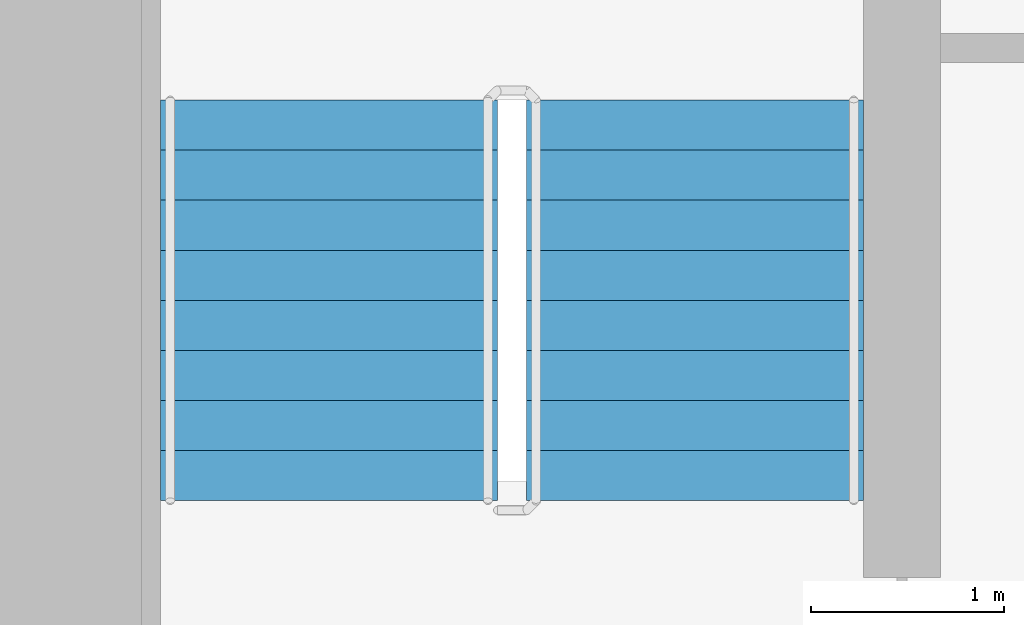
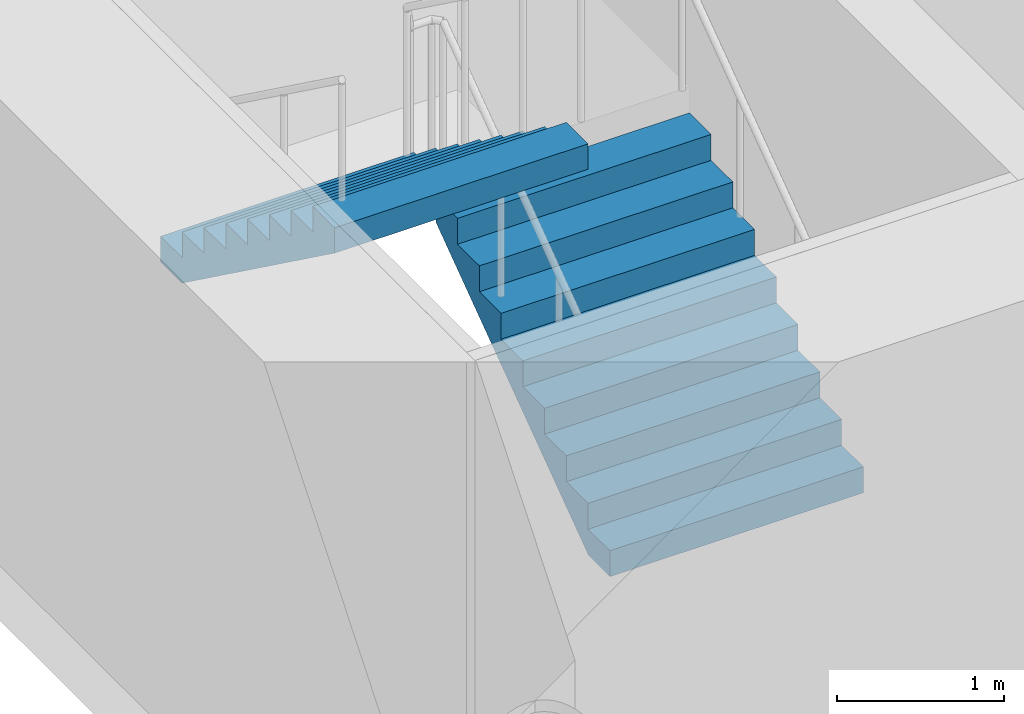
# One storey, part 20 of 22: 2 stair flights, 1 element without a shape of its own.
"""IFC4 building model written with IfcOpenShell, lengths in metres."""

from ifc_helpers import new_model, si_unit, direction, frame, origin, place, context, subcontext, project, spatial, faceted_brep, material, type_object, element, aggregate, save


model = new_model("IFC4")

# Units and contexts
model_context = context("Model", 3, precision=1e-05, world=origin(), true_north=direction((0.0, 1.0)))
body_context = subcontext(model_context, "Body", "Model", "MODEL_VIEW")
ifc_project = project(units=[si_unit("LENGTHUNIT", "METRE"), si_unit("AREAUNIT", "SQUARE_METRE"), si_unit("VOLUMEUNIT", "CUBIC_METRE"), si_unit("PLANEANGLEUNIT", "RADIAN"), si_unit("MASSUNIT", "GRAM", prefix="KILO")], contexts=[model_context])

# Site, building, storey
site_placement = place(None, origin())
site = spatial("IfcSite", under=ifc_project, at=site_placement, CompositionType="ELEMENT")
building_placement = place(site_placement, origin())
building = spatial("IfcBuilding", under=site, at=building_placement, Name="Ipe Terrace Towers", CompositionType="ELEMENT")
storey_placement = place(building_placement, frame((0.0, 0.0, 55.10009765625)))
storey = spatial("IfcBuildingStorey", under=building, at=storey_placement, Name="L14", CompositionType="ELEMENT", Elevation=55.10009765625)

# Stair, stair flights
ifc_material_1 = material(Name="Concrete C30/37", Category="concrete")
stair_type = type_object("IfcStairType", Name="Protected exit stair", PredefinedType="HALF_TURN_STAIR", material=ifc_material_1)
stair_placement = place(storey_placement, origin())
stair = element("IfcStair", 1, at=stair_placement, inside=storey, type_object=stair_type, Name="L14 Exit stair T2-C1", PredefinedType="HALF_TURN_STAIR")
ifc_material_2 = material(Name="Concrete C30/37", Category="concrete")
stair_flight_type = type_object("IfcStairFlightType", Name="Exit stair flight 1750", PredefinedType="STRAIGHT", material=ifc_material_2)
stair_flight_1_placement = place(storey_placement, frame((33.22509765625, 9.699951171875, 0.0), z_axis=(0.0, 0.0, 1.0), x_axis=(0.0, 1.0, 0.0)))
stair_flight_1 = element("IfcStairFlight", 2, at=stair_flight_1_placement, type_object=stair_flight_type, Name="T2-ST1 flight 1", NumberOfRisers=9, NumberOfTreads=8, PredefinedType="STRAIGHT", RiserHeight=0.188888889, TreadLength=0.26, context=body_context, shape_type="Brep", body=[
    faceted_brep([(0.255126953125, -0.875, 0.0), (2.080078125, -0.875, 1.325927734375), (2.080078125, -0.875, 1.51123046875), (1.820068359375, -0.875, 1.51123046875), (1.820068359375, -0.875, 1.322265625), (1.56005859375, -0.875, 1.322265625), (1.56005859375, -0.875, 1.13330078125), (1.300048828125, -0.875, 1.13330078125), (1.300048828125, -0.875, 0.9443359375), (1.0400390625, -0.875, 0.9443359375), (1.0400390625, -0.875, 0.755615234375), (0.780029296875, -0.875, 0.755615234375), (0.780029296875, -0.875, 0.566650390625), (0.52001953125, -0.875, 0.566650390625), (0.52001953125, -0.875, 0.377685546875), (0.260009765625, -0.875, 0.377685546875), (0.260009765625, -0.875, 0.18896484375), (0.0, -0.875, 0.18896484375), (0.0, -0.875, 0.0), (0.0, 0.875, 0.0), (0.0, 0.875, 0.18896484375), (0.260009765625, 0.875, 0.18896484375), (0.260009765625, 0.875, 0.377685546875), (0.52001953125, 0.875, 0.377685546875), (0.52001953125, 0.875, 0.566650390625), (0.780029296875, 0.875, 0.566650390625), (0.780029296875, 0.875, 0.755615234375), (1.0400390625, 0.875, 0.755615234375), (1.0400390625, 0.875, 0.9443359375), (1.300048828125, 0.875, 0.9443359375), (1.300048828125, 0.875, 1.13330078125), (1.56005859375, 0.875, 1.13330078125), (1.56005859375, 0.875, 1.322265625), (1.820068359375, 0.875, 1.322265625), (1.820068359375, 0.875, 1.51123046875), (2.080078125, 0.875, 1.51123046875), (2.080078125, 0.875, 1.325927734375), (0.255126953125, 0.875, 0.0), (0.0, -0.300048828125, 0.18896484375), (0.0, -0.1201171875, 0.18896484375), (0.0, -0.06005859375, 0.18896484375), (0.0, -0.030029296875, 0.18896484375), (0.0, -0.010009765625, 0.18896484375), (0.0, 0.0, 0.18896484375), (0.0, 0.010009765625, 0.18896484375), (0.0, 0.030029296875, 0.18896484375), (0.0, 0.06005859375, 0.18896484375), (0.0, 0.1201171875, 0.18896484375), (0.0, 0.300048828125, 0.18896484375), (0.0, 0.300048828125, 0.0), (0.0, 0.1201171875, 0.0), (0.0, 0.06005859375, 0.0), (0.0, 0.030029296875, 0.0), (0.0, 0.010009765625, 0.0), (0.0, 0.0, 0.0), (0.0, -0.010009765625, 0.0), (0.0, -0.030029296875, 0.0), (0.0, -0.06005859375, 0.0), (0.0, -0.1201171875, 0.0), (0.0, -0.300048828125, 0.0), (0.260009765625, -0.300048828125, 0.18896484375), (0.260009765625, -0.1201171875, 0.18896484375), (0.260009765625, -0.06005859375, 0.18896484375), (0.260009765625, -0.030029296875, 0.18896484375), (0.260009765625, -0.010009765625, 0.18896484375), (0.260009765625, 0.0, 0.18896484375), (0.260009765625, 0.010009765625, 0.18896484375), (0.260009765625, 0.030029296875, 0.18896484375), (0.260009765625, 0.06005859375, 0.18896484375), (0.260009765625, 0.1201171875, 0.18896484375), (0.260009765625, 0.300048828125, 0.18896484375), (0.260009765625, -0.300048828125, 0.377685546875), (0.260009765625, -0.1201171875, 0.377685546875), (0.260009765625, -0.06005859375, 0.377685546875), (0.260009765625, -0.030029296875, 0.377685546875), (0.260009765625, -0.010009765625, 0.377685546875), (0.260009765625, 0.0, 0.377685546875), (0.260009765625, 0.010009765625, 0.377685546875), (0.260009765625, 0.030029296875, 0.377685546875), (0.260009765625, 0.06005859375, 0.377685546875), (0.260009765625, 0.1201171875, 0.377685546875), (0.260009765625, 0.300048828125, 0.377685546875), (0.52001953125, -0.300048828125, 0.377685546875), (0.52001953125, -0.1201171875, 0.377685546875), (0.52001953125, -0.06005859375, 0.377685546875), (0.52001953125, -0.030029296875, 0.377685546875), (0.52001953125, -0.010009765625, 0.377685546875), (0.52001953125, 0.0, 0.377685546875), (0.52001953125, 0.010009765625, 0.377685546875), (0.52001953125, 0.030029296875, 0.377685546875), (0.52001953125, 0.06005859375, 0.377685546875), (0.52001953125, 0.1201171875, 0.377685546875), (0.52001953125, 0.300048828125, 0.377685546875), (0.52001953125, -0.300048828125, 0.566650390625), (0.52001953125, -0.1201171875, 0.566650390625), (0.52001953125, -0.06005859375, 0.566650390625), (0.52001953125, -0.030029296875, 0.566650390625), (0.52001953125, -0.010009765625, 0.566650390625), (0.52001953125, 0.0, 0.566650390625), (0.52001953125, 0.010009765625, 0.566650390625), (0.52001953125, 0.030029296875, 0.566650390625), (0.52001953125, 0.06005859375, 0.566650390625), (0.52001953125, 0.1201171875, 0.566650390625), (0.52001953125, 0.300048828125, 0.566650390625), (0.780029296875, -0.300048828125, 0.566650390625), (0.780029296875, -0.1201171875, 0.566650390625), (0.780029296875, -0.06005859375, 0.566650390625), (0.780029296875, -0.030029296875, 0.566650390625), (0.780029296875, -0.010009765625, 0.566650390625), (0.780029296875, 0.0, 0.566650390625), (0.780029296875, 0.010009765625, 0.566650390625), (0.780029296875, 0.030029296875, 0.566650390625), (0.780029296875, 0.06005859375, 0.566650390625), (0.780029296875, 0.1201171875, 0.566650390625), (0.780029296875, 0.300048828125, 0.566650390625), (0.780029296875, -0.300048828125, 0.755615234375), (0.780029296875, -0.1201171875, 0.755615234375), (0.780029296875, -0.06005859375, 0.755615234375), (0.780029296875, -0.030029296875, 0.755615234375), (0.780029296875, -0.010009765625, 0.755615234375), (0.780029296875, 0.0, 0.755615234375), (0.780029296875, 0.010009765625, 0.755615234375), (0.780029296875, 0.030029296875, 0.755615234375), (0.780029296875, 0.06005859375, 0.755615234375), (0.780029296875, 0.1201171875, 0.755615234375), (0.780029296875, 0.300048828125, 0.755615234375), (1.0400390625, -0.300048828125, 0.755615234375), (1.0400390625, -0.1201171875, 0.755615234375), (1.0400390625, -0.06005859375, 0.755615234375), (1.0400390625, -0.030029296875, 0.755615234375), (1.0400390625, -0.010009765625, 0.755615234375), (1.0400390625, 0.0, 0.755615234375), (1.0400390625, 0.010009765625, 0.755615234375), (1.0400390625, 0.030029296875, 0.755615234375), (1.0400390625, 0.06005859375, 0.755615234375), (1.0400390625, 0.1201171875, 0.755615234375), (1.0400390625, 0.300048828125, 0.755615234375), (1.0400390625, -0.300048828125, 0.9443359375), (1.0400390625, -0.1201171875, 0.9443359375), (1.0400390625, -0.06005859375, 0.9443359375), (1.0400390625, -0.030029296875, 0.9443359375), (1.0400390625, -0.010009765625, 0.9443359375), (1.0400390625, 0.0, 0.9443359375), (1.0400390625, 0.010009765625, 0.9443359375), (1.0400390625, 0.030029296875, 0.9443359375), (1.0400390625, 0.06005859375, 0.9443359375), (1.0400390625, 0.1201171875, 0.9443359375), (1.0400390625, 0.300048828125, 0.9443359375), (1.300048828125, -0.300048828125, 0.9443359375), (1.300048828125, -0.1201171875, 0.9443359375), (1.300048828125, -0.06005859375, 0.9443359375), (1.300048828125, -0.030029296875, 0.9443359375), (1.300048828125, -0.010009765625, 0.9443359375), (1.300048828125, 0.0, 0.9443359375), (1.300048828125, 0.010009765625, 0.9443359375), (1.300048828125, 0.030029296875, 0.9443359375), (1.300048828125, 0.06005859375, 0.9443359375), (1.300048828125, 0.1201171875, 0.9443359375), (1.300048828125, 0.300048828125, 0.9443359375), (1.300048828125, -0.300048828125, 1.13330078125), (1.300048828125, -0.1201171875, 1.13330078125), (1.300048828125, -0.06005859375, 1.13330078125), (1.300048828125, -0.030029296875, 1.13330078125), (1.300048828125, -0.010009765625, 1.13330078125), (1.300048828125, 0.0, 1.13330078125), (1.300048828125, 0.010009765625, 1.13330078125), (1.300048828125, 0.030029296875, 1.13330078125), (1.300048828125, 0.06005859375, 1.13330078125), (1.300048828125, 0.1201171875, 1.13330078125), (1.300048828125, 0.300048828125, 1.13330078125), (1.56005859375, -0.300048828125, 1.13330078125), (1.56005859375, -0.1201171875, 1.13330078125), (1.56005859375, -0.06005859375, 1.13330078125), (1.56005859375, -0.030029296875, 1.13330078125), (1.56005859375, -0.010009765625, 1.13330078125), (1.56005859375, 0.0, 1.13330078125), (1.56005859375, 0.010009765625, 1.13330078125), (1.56005859375, 0.030029296875, 1.13330078125), (1.56005859375, 0.06005859375, 1.13330078125), (1.56005859375, 0.1201171875, 1.13330078125), (1.56005859375, 0.300048828125, 1.13330078125), (1.56005859375, -0.300048828125, 1.322265625), (1.56005859375, -0.1201171875, 1.322265625), (1.56005859375, -0.06005859375, 1.322265625), (1.56005859375, -0.030029296875, 1.322265625), (1.56005859375, -0.010009765625, 1.322265625), (1.56005859375, 0.0, 1.322265625), (1.56005859375, 0.010009765625, 1.322265625), (1.56005859375, 0.030029296875, 1.322265625), (1.56005859375, 0.06005859375, 1.322265625), (1.56005859375, 0.1201171875, 1.322265625), (1.56005859375, 0.300048828125, 1.322265625), (1.820068359375, -0.300048828125, 1.322265625), (1.820068359375, -0.1201171875, 1.322265625), (1.820068359375, -0.06005859375, 1.322265625), (1.820068359375, -0.030029296875, 1.322265625), (1.820068359375, -0.010009765625, 1.322265625), (1.820068359375, 0.0, 1.322265625), (1.820068359375, 0.010009765625, 1.322265625), (1.820068359375, 0.030029296875, 1.322265625), (1.820068359375, 0.06005859375, 1.322265625), (1.820068359375, 0.1201171875, 1.322265625), (1.820068359375, 0.300048828125, 1.322265625), (1.820068359375, -0.300048828125, 1.51123046875), (1.820068359375, -0.1201171875, 1.51123046875), (1.820068359375, -0.06005859375, 1.51123046875), (1.820068359375, -0.030029296875, 1.51123046875), (1.820068359375, -0.010009765625, 1.51123046875), (1.820068359375, 0.0, 1.51123046875), (1.820068359375, 0.010009765625, 1.51123046875), (1.820068359375, 0.030029296875, 1.51123046875), (1.820068359375, 0.06005859375, 1.51123046875), (1.820068359375, 0.1201171875, 1.51123046875), (1.820068359375, 0.300048828125, 1.51123046875), (2.080078125, -0.300048828125, 1.51123046875), (2.080078125, -0.1201171875, 1.51123046875), (2.080078125, -0.06005859375, 1.51123046875), (2.080078125, -0.030029296875, 1.51123046875), (2.080078125, -0.010009765625, 1.51123046875), (2.080078125, 0.0, 1.51123046875), (2.080078125, 0.010009765625, 1.51123046875), (2.080078125, 0.030029296875, 1.51123046875), (2.080078125, 0.06005859375, 1.51123046875), (2.080078125, 0.1201171875, 1.51123046875), (2.080078125, 0.300048828125, 1.51123046875), (2.080078125, -0.300048828125, 1.325927734375), (2.080078125, -0.1201171875, 1.325927734375), (2.080078125, -0.06005859375, 1.325927734375), (2.080078125, -0.030029296875, 1.325927734375), (2.080078125, -0.010009765625, 1.325927734375), (2.080078125, 0.0, 1.325927734375), (2.080078125, 0.010009765625, 1.325927734375), (2.080078125, 0.030029296875, 1.325927734375), (2.080078125, 0.06005859375, 1.325927734375), (2.080078125, 0.1201171875, 1.325927734375), (2.080078125, 0.300048828125, 1.325927734375), (0.255126953125, -0.300048828125, 0.0), (0.255126953125, -0.1201171875, 0.0), (0.255126953125, -0.06005859375, 0.0), (0.255126953125, -0.030029296875, 0.0), (0.255126953125, -0.010009765625, 0.0), (0.255126953125, 0.0, 0.0), (0.255126953125, 0.010009765625, 0.0), (0.255126953125, 0.030029296875, 0.0), (0.255126953125, 0.06005859375, 0.0), (0.255126953125, 0.1201171875, 0.0), (0.255126953125, 0.300048828125, 0.0)], [[[0, 1, 2, 3, 4, 5, 6, 7, 8, 9, 10, 11, 12, 13, 14, 15, 16, 17, 18]], [[19, 20, 21, 22, 23, 24, 25, 26, 27, 28, 29, 30, 31, 32, 33, 34, 35, 36, 37]], [[17, 38, 39, 40, 41, 42, 43, 44, 45, 46, 47, 48, 20, 19, 49, 50, 51, 52, 53, 54, 55, 56, 57, 58, 59, 18]], [[16, 60, 61, 62, 63, 64, 65, 66, 67, 68, 69, 70, 21, 20, 48, 47, 46, 45, 44, 43, 42, 41, 40, 39, 38, 17]], [[15, 71, 72, 73, 74, 75, 76, 77, 78, 79, 80, 81, 22, 21, 70, 69, 68, 67, 66, 65, 64, 63, 62, 61, 60, 16]], [[14, 82, 83, 84, 85, 86, 87, 88, 89, 90, 91, 92, 23, 22, 81, 80, 79, 78, 77, 76, 75, 74, 73, 72, 71, 15]], [[13, 93, 94, 95, 96, 97, 98, 99, 100, 101, 102, 103, 24, 23, 92, 91, 90, 89, 88, 87, 86, 85, 84, 83, 82, 14]], [[12, 104, 105, 106, 107, 108, 109, 110, 111, 112, 113, 114, 25, 24, 103, 102, 101, 100, 99, 98, 97, 96, 95, 94, 93, 13]], [[11, 115, 116, 117, 118, 119, 120, 121, 122, 123, 124, 125, 26, 25, 114, 113, 112, 111, 110, 109, 108, 107, 106, 105, 104, 12]], [[10, 126, 127, 128, 129, 130, 131, 132, 133, 134, 135, 136, 27, 26, 125, 124, 123, 122, 121, 120, 119, 118, 117, 116, 115, 11]], [[9, 137, 138, 139, 140, 141, 142, 143, 144, 145, 146, 147, 28, 27, 136, 135, 134, 133, 132, 131, 130, 129, 128, 127, 126, 10]], [[8, 148, 149, 150, 151, 152, 153, 154, 155, 156, 157, 158, 29, 28, 147, 146, 145, 144, 143, 142, 141, 140, 139, 138, 137, 9]], [[7, 159, 160, 161, 162, 163, 164, 165, 166, 167, 168, 169, 30, 29, 158, 157, 156, 155, 154, 153, 152, 151, 150, 149, 148, 8]], [[6, 170, 171, 172, 173, 174, 175, 176, 177, 178, 179, 180, 31, 30, 169, 168, 167, 166, 165, 164, 163, 162, 161, 160, 159, 7]], [[5, 181, 182, 183, 184, 185, 186, 187, 188, 189, 190, 191, 32, 31, 180, 179, 178, 177, 176, 175, 174, 173, 172, 171, 170, 6]], [[4, 192, 193, 194, 195, 196, 197, 198, 199, 200, 201, 202, 33, 32, 191, 190, 189, 188, 187, 186, 185, 184, 183, 182, 181, 5]], [[3, 203, 204, 205, 206, 207, 208, 209, 210, 211, 212, 213, 34, 33, 202, 201, 200, 199, 198, 197, 196, 195, 194, 193, 192, 4]], [[2, 214, 215, 216, 217, 218, 219, 220, 221, 222, 223, 224, 35, 34, 213, 212, 211, 210, 209, 208, 207, 206, 205, 204, 203, 3]], [[1, 225, 226, 227, 228, 229, 230, 231, 232, 233, 234, 235, 36, 35, 224, 223, 222, 221, 220, 219, 218, 217, 216, 215, 214, 2]], [[0, 236, 237, 238, 239, 240, 241, 242, 243, 244, 245, 246, 37, 36, 235, 234, 233, 232, 231, 230, 229, 228, 227, 226, 225, 1]], [[18, 59, 58, 57, 56, 55, 54, 53, 52, 51, 50, 49, 19, 37, 246, 245, 244, 243, 242, 241, 240, 239, 238, 237, 236, 0]]]),
])
stair_flight_2_placement = place(storey_placement, frame((31.324951171875, 11.780029296875, 1.699951171875), z_axis=(0.0, 0.0, 1.0), x_axis=(0.0, -1.0, 0.0)))
stair_flight_2 = element("IfcStairFlight", 3, at=stair_flight_2_placement, type_object=stair_flight_type, Name="T2-ST1 flight 2", NumberOfRisers=9, NumberOfTreads=8, PredefinedType="STRAIGHT", RiserHeight=0.188888889, TreadLength=0.26, context=body_context, shape_type="Brep", body=[
    faceted_brep([(0.255126953125, -0.875, 0.0), (2.080078125, -0.875, 1.325927734375), (2.080078125, -0.875, 1.51123046875), (1.820068359375, -0.875, 1.51123046875), (1.820068359375, -0.875, 1.322265625), (1.56005859375, -0.875, 1.322265625), (1.56005859375, -0.875, 1.13330078125), (1.300048828125, -0.875, 1.13330078125), (1.300048828125, -0.875, 0.9443359375), (1.0400390625, -0.875, 0.9443359375), (1.0400390625, -0.875, 0.755615234375), (0.780029296875, -0.875, 0.755615234375), (0.780029296875, -0.875, 0.566650390625), (0.52001953125, -0.875, 0.566650390625), (0.52001953125, -0.875, 0.377685546875), (0.260009765625, -0.875, 0.377685546875), (0.260009765625, -0.875, 0.18896484375), (0.0, -0.875, 0.18896484375), (0.0, -0.875, 0.0), (0.0, 0.875, 0.0), (0.0, 0.875, 0.18896484375), (0.260009765625, 0.875, 0.18896484375), (0.260009765625, 0.875, 0.377685546875), (0.52001953125, 0.875, 0.377685546875), (0.52001953125, 0.875, 0.566650390625), (0.780029296875, 0.875, 0.566650390625), (0.780029296875, 0.875, 0.755615234375), (1.0400390625, 0.875, 0.755615234375), (1.0400390625, 0.875, 0.9443359375), (1.300048828125, 0.875, 0.9443359375), (1.300048828125, 0.875, 1.13330078125), (1.56005859375, 0.875, 1.13330078125), (1.56005859375, 0.875, 1.322265625), (1.820068359375, 0.875, 1.322265625), (1.820068359375, 0.875, 1.51123046875), (2.080078125, 0.875, 1.51123046875), (2.080078125, 0.875, 1.325927734375), (0.255126953125, 0.875, 0.0), (0.0, -0.300048828125, 0.18896484375), (0.0, -0.1201171875, 0.18896484375), (0.0, -0.06005859375, 0.18896484375), (0.0, -0.030029296875, 0.18896484375), (0.0, -0.010009765625, 0.18896484375), (0.0, 0.0, 0.18896484375), (0.0, 0.010009765625, 0.18896484375), (0.0, 0.030029296875, 0.18896484375), (0.0, 0.06005859375, 0.18896484375), (0.0, 0.1201171875, 0.18896484375), (0.0, 0.300048828125, 0.18896484375), (0.0, 0.300048828125, 0.0), (0.0, 0.1201171875, 0.0), (0.0, 0.06005859375, 0.0), (0.0, 0.030029296875, 0.0), (0.0, 0.010009765625, 0.0), (0.0, 0.0, 0.0), (0.0, -0.010009765625, 0.0), (0.0, -0.030029296875, 0.0), (0.0, -0.06005859375, 0.0), (0.0, -0.1201171875, 0.0), (0.0, -0.300048828125, 0.0), (0.260009765625, -0.300048828125, 0.18896484375), (0.260009765625, -0.1201171875, 0.18896484375), (0.260009765625, -0.06005859375, 0.18896484375), (0.260009765625, -0.030029296875, 0.18896484375), (0.260009765625, -0.010009765625, 0.18896484375), (0.260009765625, 0.0, 0.18896484375), (0.260009765625, 0.010009765625, 0.18896484375), (0.260009765625, 0.030029296875, 0.18896484375), (0.260009765625, 0.06005859375, 0.18896484375), (0.260009765625, 0.1201171875, 0.18896484375), (0.260009765625, 0.300048828125, 0.18896484375), (0.260009765625, -0.300048828125, 0.377685546875), (0.260009765625, -0.1201171875, 0.377685546875), (0.260009765625, -0.06005859375, 0.377685546875), (0.260009765625, -0.030029296875, 0.377685546875), (0.260009765625, -0.010009765625, 0.377685546875), (0.260009765625, 0.0, 0.377685546875), (0.260009765625, 0.010009765625, 0.377685546875), (0.260009765625, 0.030029296875, 0.377685546875), (0.260009765625, 0.06005859375, 0.377685546875), (0.260009765625, 0.1201171875, 0.377685546875), (0.260009765625, 0.300048828125, 0.377685546875), (0.52001953125, -0.300048828125, 0.377685546875), (0.52001953125, -0.1201171875, 0.377685546875), (0.52001953125, -0.06005859375, 0.377685546875), (0.52001953125, -0.030029296875, 0.377685546875), (0.52001953125, -0.010009765625, 0.377685546875), (0.52001953125, 0.0, 0.377685546875), (0.52001953125, 0.010009765625, 0.377685546875), (0.52001953125, 0.030029296875, 0.377685546875), (0.52001953125, 0.06005859375, 0.377685546875), (0.52001953125, 0.1201171875, 0.377685546875), (0.52001953125, 0.300048828125, 0.377685546875), (0.52001953125, -0.300048828125, 0.566650390625), (0.52001953125, -0.1201171875, 0.566650390625), (0.52001953125, -0.06005859375, 0.566650390625), (0.52001953125, -0.030029296875, 0.566650390625), (0.52001953125, -0.010009765625, 0.566650390625), (0.52001953125, 0.0, 0.566650390625), (0.52001953125, 0.010009765625, 0.566650390625), (0.52001953125, 0.030029296875, 0.566650390625), (0.52001953125, 0.06005859375, 0.566650390625), (0.52001953125, 0.1201171875, 0.566650390625), (0.52001953125, 0.300048828125, 0.566650390625), (0.780029296875, -0.300048828125, 0.566650390625), (0.780029296875, -0.1201171875, 0.566650390625), (0.780029296875, -0.06005859375, 0.566650390625), (0.780029296875, -0.030029296875, 0.566650390625), (0.780029296875, -0.010009765625, 0.566650390625), (0.780029296875, 0.0, 0.566650390625), (0.780029296875, 0.010009765625, 0.566650390625), (0.780029296875, 0.030029296875, 0.566650390625), (0.780029296875, 0.06005859375, 0.566650390625), (0.780029296875, 0.1201171875, 0.566650390625), (0.780029296875, 0.300048828125, 0.566650390625), (0.780029296875, -0.300048828125, 0.755615234375), (0.780029296875, -0.1201171875, 0.755615234375), (0.780029296875, -0.06005859375, 0.755615234375), (0.780029296875, -0.030029296875, 0.755615234375), (0.780029296875, -0.010009765625, 0.755615234375), (0.780029296875, 0.0, 0.755615234375), (0.780029296875, 0.010009765625, 0.755615234375), (0.780029296875, 0.030029296875, 0.755615234375), (0.780029296875, 0.06005859375, 0.755615234375), (0.780029296875, 0.1201171875, 0.755615234375), (0.780029296875, 0.300048828125, 0.755615234375), (1.0400390625, -0.300048828125, 0.755615234375), (1.0400390625, -0.1201171875, 0.755615234375), (1.0400390625, -0.06005859375, 0.755615234375), (1.0400390625, -0.030029296875, 0.755615234375), (1.0400390625, -0.010009765625, 0.755615234375), (1.0400390625, 0.0, 0.755615234375), (1.0400390625, 0.010009765625, 0.755615234375), (1.0400390625, 0.030029296875, 0.755615234375), (1.0400390625, 0.06005859375, 0.755615234375), (1.0400390625, 0.1201171875, 0.755615234375), (1.0400390625, 0.300048828125, 0.755615234375), (1.0400390625, -0.300048828125, 0.9443359375), (1.0400390625, -0.1201171875, 0.9443359375), (1.0400390625, -0.06005859375, 0.9443359375), (1.0400390625, -0.030029296875, 0.9443359375), (1.0400390625, -0.010009765625, 0.9443359375), (1.0400390625, 0.0, 0.9443359375), (1.0400390625, 0.010009765625, 0.9443359375), (1.0400390625, 0.030029296875, 0.9443359375), (1.0400390625, 0.06005859375, 0.9443359375), (1.0400390625, 0.1201171875, 0.9443359375), (1.0400390625, 0.300048828125, 0.9443359375), (1.300048828125, -0.300048828125, 0.9443359375), (1.300048828125, -0.1201171875, 0.9443359375), (1.300048828125, -0.06005859375, 0.9443359375), (1.300048828125, -0.030029296875, 0.9443359375), (1.300048828125, -0.010009765625, 0.9443359375), (1.300048828125, 0.0, 0.9443359375), (1.300048828125, 0.010009765625, 0.9443359375), (1.300048828125, 0.030029296875, 0.9443359375), (1.300048828125, 0.06005859375, 0.9443359375), (1.300048828125, 0.1201171875, 0.9443359375), (1.300048828125, 0.300048828125, 0.9443359375), (1.300048828125, -0.300048828125, 1.13330078125), (1.300048828125, -0.1201171875, 1.13330078125), (1.300048828125, -0.06005859375, 1.13330078125), (1.300048828125, -0.030029296875, 1.13330078125), (1.300048828125, -0.010009765625, 1.13330078125), (1.300048828125, 0.0, 1.13330078125), (1.300048828125, 0.010009765625, 1.13330078125), (1.300048828125, 0.030029296875, 1.13330078125), (1.300048828125, 0.06005859375, 1.13330078125), (1.300048828125, 0.1201171875, 1.13330078125), (1.300048828125, 0.300048828125, 1.13330078125), (1.56005859375, -0.300048828125, 1.13330078125), (1.56005859375, -0.1201171875, 1.13330078125), (1.56005859375, -0.06005859375, 1.13330078125), (1.56005859375, -0.030029296875, 1.13330078125), (1.56005859375, -0.010009765625, 1.13330078125), (1.56005859375, 0.0, 1.13330078125), (1.56005859375, 0.010009765625, 1.13330078125), (1.56005859375, 0.030029296875, 1.13330078125), (1.56005859375, 0.06005859375, 1.13330078125), (1.56005859375, 0.1201171875, 1.13330078125), (1.56005859375, 0.300048828125, 1.13330078125), (1.56005859375, -0.300048828125, 1.322265625), (1.56005859375, -0.1201171875, 1.322265625), (1.56005859375, -0.06005859375, 1.322265625), (1.56005859375, -0.030029296875, 1.322265625), (1.56005859375, -0.010009765625, 1.322265625), (1.56005859375, 0.0, 1.322265625), (1.56005859375, 0.010009765625, 1.322265625), (1.56005859375, 0.030029296875, 1.322265625), (1.56005859375, 0.06005859375, 1.322265625), (1.56005859375, 0.1201171875, 1.322265625), (1.56005859375, 0.300048828125, 1.322265625), (1.820068359375, -0.300048828125, 1.322265625), (1.820068359375, -0.1201171875, 1.322265625), (1.820068359375, -0.06005859375, 1.322265625), (1.820068359375, -0.030029296875, 1.322265625), (1.820068359375, -0.010009765625, 1.322265625), (1.820068359375, 0.0, 1.322265625), (1.820068359375, 0.010009765625, 1.322265625), (1.820068359375, 0.030029296875, 1.322265625), (1.820068359375, 0.06005859375, 1.322265625), (1.820068359375, 0.1201171875, 1.322265625), (1.820068359375, 0.300048828125, 1.322265625), (1.820068359375, -0.300048828125, 1.51123046875), (1.820068359375, -0.1201171875, 1.51123046875), (1.820068359375, -0.06005859375, 1.51123046875), (1.820068359375, -0.030029296875, 1.51123046875), (1.820068359375, -0.010009765625, 1.51123046875), (1.820068359375, 0.0, 1.51123046875), (1.820068359375, 0.010009765625, 1.51123046875), (1.820068359375, 0.030029296875, 1.51123046875), (1.820068359375, 0.06005859375, 1.51123046875), (1.820068359375, 0.1201171875, 1.51123046875), (1.820068359375, 0.300048828125, 1.51123046875), (2.080078125, -0.300048828125, 1.51123046875), (2.080078125, -0.1201171875, 1.51123046875), (2.080078125, -0.06005859375, 1.51123046875), (2.080078125, -0.030029296875, 1.51123046875), (2.080078125, -0.010009765625, 1.51123046875), (2.080078125, 0.0, 1.51123046875), (2.080078125, 0.010009765625, 1.51123046875), (2.080078125, 0.030029296875, 1.51123046875), (2.080078125, 0.06005859375, 1.51123046875), (2.080078125, 0.1201171875, 1.51123046875), (2.080078125, 0.300048828125, 1.51123046875), (2.080078125, -0.300048828125, 1.325927734375), (2.080078125, -0.1201171875, 1.325927734375), (2.080078125, -0.06005859375, 1.325927734375), (2.080078125, -0.030029296875, 1.325927734375), (2.080078125, -0.010009765625, 1.325927734375), (2.080078125, 0.0, 1.325927734375), (2.080078125, 0.010009765625, 1.325927734375), (2.080078125, 0.030029296875, 1.325927734375), (2.080078125, 0.06005859375, 1.325927734375), (2.080078125, 0.1201171875, 1.325927734375), (2.080078125, 0.300048828125, 1.325927734375), (0.255126953125, -0.300048828125, 0.0), (0.255126953125, -0.1201171875, 0.0), (0.255126953125, -0.06005859375, 0.0), (0.255126953125, -0.030029296875, 0.0), (0.255126953125, -0.010009765625, 0.0), (0.255126953125, 0.0, 0.0), (0.255126953125, 0.010009765625, 0.0), (0.255126953125, 0.030029296875, 0.0), (0.255126953125, 0.06005859375, 0.0), (0.255126953125, 0.1201171875, 0.0), (0.255126953125, 0.300048828125, 0.0)], [[[0, 1, 2, 3, 4, 5, 6, 7, 8, 9, 10, 11, 12, 13, 14, 15, 16, 17, 18]], [[19, 20, 21, 22, 23, 24, 25, 26, 27, 28, 29, 30, 31, 32, 33, 34, 35, 36, 37]], [[17, 38, 39, 40, 41, 42, 43, 44, 45, 46, 47, 48, 20, 19, 49, 50, 51, 52, 53, 54, 55, 56, 57, 58, 59, 18]], [[16, 60, 61, 62, 63, 64, 65, 66, 67, 68, 69, 70, 21, 20, 48, 47, 46, 45, 44, 43, 42, 41, 40, 39, 38, 17]], [[15, 71, 72, 73, 74, 75, 76, 77, 78, 79, 80, 81, 22, 21, 70, 69, 68, 67, 66, 65, 64, 63, 62, 61, 60, 16]], [[14, 82, 83, 84, 85, 86, 87, 88, 89, 90, 91, 92, 23, 22, 81, 80, 79, 78, 77, 76, 75, 74, 73, 72, 71, 15]], [[13, 93, 94, 95, 96, 97, 98, 99, 100, 101, 102, 103, 24, 23, 92, 91, 90, 89, 88, 87, 86, 85, 84, 83, 82, 14]], [[12, 104, 105, 106, 107, 108, 109, 110, 111, 112, 113, 114, 25, 24, 103, 102, 101, 100, 99, 98, 97, 96, 95, 94, 93, 13]], [[11, 115, 116, 117, 118, 119, 120, 121, 122, 123, 124, 125, 26, 25, 114, 113, 112, 111, 110, 109, 108, 107, 106, 105, 104, 12]], [[10, 126, 127, 128, 129, 130, 131, 132, 133, 134, 135, 136, 27, 26, 125, 124, 123, 122, 121, 120, 119, 118, 117, 116, 115, 11]], [[9, 137, 138, 139, 140, 141, 142, 143, 144, 145, 146, 147, 28, 27, 136, 135, 134, 133, 132, 131, 130, 129, 128, 127, 126, 10]], [[8, 148, 149, 150, 151, 152, 153, 154, 155, 156, 157, 158, 29, 28, 147, 146, 145, 144, 143, 142, 141, 140, 139, 138, 137, 9]], [[7, 159, 160, 161, 162, 163, 164, 165, 166, 167, 168, 169, 30, 29, 158, 157, 156, 155, 154, 153, 152, 151, 150, 149, 148, 8]], [[6, 170, 171, 172, 173, 174, 175, 176, 177, 178, 179, 180, 31, 30, 169, 168, 167, 166, 165, 164, 163, 162, 161, 160, 159, 7]], [[5, 181, 182, 183, 184, 185, 186, 187, 188, 189, 190, 191, 32, 31, 180, 179, 178, 177, 176, 175, 174, 173, 172, 171, 170, 6]], [[4, 192, 193, 194, 195, 196, 197, 198, 199, 200, 201, 202, 33, 32, 191, 190, 189, 188, 187, 186, 185, 184, 183, 182, 181, 5]], [[3, 203, 204, 205, 206, 207, 208, 209, 210, 211, 212, 213, 34, 33, 202, 201, 200, 199, 198, 197, 196, 195, 194, 193, 192, 4]], [[2, 214, 215, 216, 217, 218, 219, 220, 221, 222, 223, 224, 35, 34, 213, 212, 211, 210, 209, 208, 207, 206, 205, 204, 203, 3]], [[1, 225, 226, 227, 228, 229, 230, 231, 232, 233, 234, 235, 36, 35, 224, 223, 222, 221, 220, 219, 218, 217, 216, 215, 214, 2]], [[0, 236, 237, 238, 239, 240, 241, 242, 243, 244, 245, 246, 37, 36, 235, 234, 233, 232, 231, 230, 229, 228, 227, 226, 225, 1]], [[18, 59, 58, 57, 56, 55, 54, 53, 52, 51, 50, 49, 19, 37, 246, 245, 244, 243, 242, 241, 240, 239, 238, 237, 236, 0]]]),
])
aggregate(stair, [stair_flight_1, stair_flight_2])

save(model, "model.ifc")
